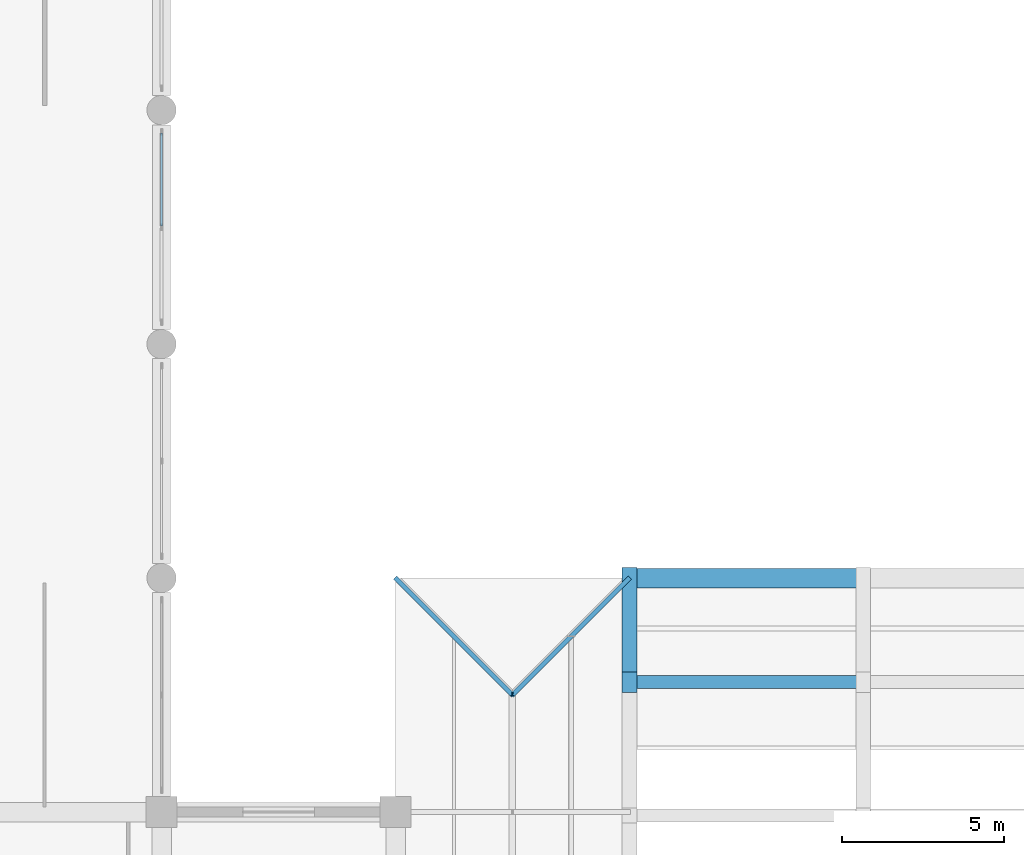
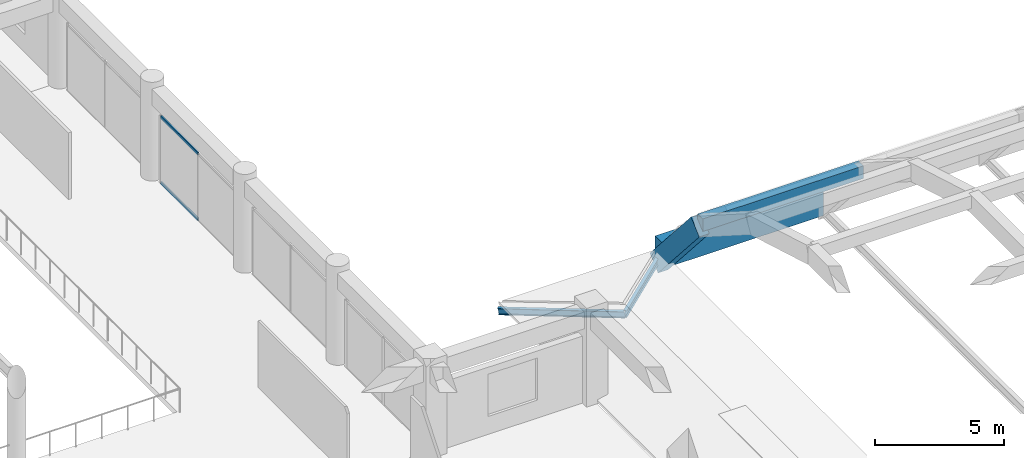
# One storey, part 24 of 54: 4 members, 3 beams, 1 element without a shape of its own.
"""IFC4 building model written with IfcOpenShell, lengths in metres."""

from ifc_helpers import new_model, si_unit, direction, frame, origin, origin_2d, place, context, subcontext, project, spatial, rectangle, hollow_rectangle, i_section, extrude, material, material_profile, profile_set, type_object, element, aggregate, save


model = new_model("IFC4")

# Units and contexts
model_context = context("Model", 3, precision=1e-05, world=origin(), true_north=direction((0.0, 1.0)))
body_context = subcontext(model_context, "Body", "Model", "MODEL_VIEW")
ifc_project = project(units=[si_unit("LENGTHUNIT", "METRE"), si_unit("AREAUNIT", "SQUARE_METRE"), si_unit("VOLUMEUNIT", "CUBIC_METRE"), si_unit("PLANEANGLEUNIT", "RADIAN"), si_unit("MASSUNIT", "GRAM", prefix="KILO")], contexts=[model_context])

# Site, building, storey
site_placement = place(None, origin())
site = spatial("IfcSite", under=ifc_project, at=site_placement, CompositionType="ELEMENT")
building_placement = place(site_placement, origin())
building = spatial("IfcBuilding", under=site, at=building_placement, Name="Kazehaya Institute of Natural Sciences", CompositionType="ELEMENT")
storey_placement = place(building_placement, frame((0.0, 0.0, 10.43994140625)))
storey = spatial("IfcBuildingStorey", under=building, at=storey_placement, Name="L02", CompositionType="ELEMENT", Elevation=10.43994140625)

# Beams
ifc_material_1 = material(Name="Concrete Fc36", Category="concrete")
ifc_material_profile_1 = material_profile(ifc_material_1, rectangle(XDim=0.449951171875, YDim=0.85009765625, at=origin_2d()), Name="RC-450x850")
ifc_profile_set_1 = profile_set([ifc_material_profile_1], Name="Concrete Fc36")
beam_type_1 = type_object("IfcBeamType", Name="BM-AR-450x850", PredefinedType="BEAM", material=ifc_profile_set_1)
beam_1_placement = place(storey_placement, frame((126.60009765625, 39.595703125, 3.224853515625), z_axis=(0.0, 0.659251045931, -0.751922907245), x_axis=(-1.0, 0.0, 0.0)))
element("IfcBeam", 1, at=beam_1_placement, inside=storey, type_object=beam_type_1, Name="SH-VOL1 transverse arch rib SH-VOL1-RIB-126-13", PredefinedType="BEAM", context=body_context, shape_type="SweptSolid", body=[
    extrude(rectangle(XDim=0.449951171875, YDim=0.85009765625, at=origin_2d()), origin(), (0.0, 0.0, 1.0), 4.860595703125),
])
ifc_material_profile_2 = material_profile(ifc_material_1, rectangle(XDim=0.39990234375, YDim=0.60009765625, at=origin_2d()), Name="RC-400x600")
ifc_profile_set_2 = profile_set([ifc_material_profile_2], Name="Concrete Fc36")
beam_type_2 = type_object("IfcBeamType", Name="BM-B-400x600", PredefinedType="BEAM", material=ifc_profile_set_2)
beam_2_placement = place(storey_placement, frame((126.60009765625, 39.595703125, 3.344970703125), z_axis=(1.0, 0.0, 0.0), x_axis=(0.0, 1.0, 0.0)))
element("IfcBeam", 2, at=beam_2_placement, inside=storey, type_object=beam_type_2, Name="SH-VOL1 longitudinal shell rib 12", PredefinedType="BEAM", context=body_context, shape_type="SweptSolid", body=[
    extrude(rectangle(XDim=0.39990234375, YDim=0.60009765625, at=origin_2d()), origin(), (0.0, 0.0, 1.0), 7.199951171875),
])
ifc_material_profile_3 = material_profile(ifc_material_1, rectangle(XDim=0.60009765625, YDim=1.199951171875, at=origin_2d()), Name="RC-600x1200")
ifc_profile_set_3 = profile_set([ifc_material_profile_3], Name="Concrete Fc36")
beam_type_3 = type_object("IfcBeamType", Name="BM-EB-600x1200", PredefinedType="BEAM", material=ifc_profile_set_3)
beam_3_placement = place(storey_placement, frame((126.60009765625, 42.800048828125, 0.0), z_axis=(1.0, 0.0, 0.0), x_axis=(0.0, 1.0, 0.0)))
element("IfcBeam", 3, at=beam_3_placement, inside=storey, type_object=beam_type_3, Name="SH-VOL1 centroidal shell edge beam SH-VOL1-EB-N-2215", PredefinedType="BEAM", context=body_context, shape_type="SweptSolid", body=[
    extrude(rectangle(XDim=0.60009765625, YDim=1.199951171875, at=origin_2d()), origin(), (0.0, 0.0, 1.0), 7.199951171875),
])

# Curtain wall, members
ifc_material_2 = material(Name="Aluminium alloy A6063S-T5", Category="aluminium")
curtain_wall_type = type_object("IfcCurtainWallType", Name="CW-SYS-03", PredefinedType="NOTDEFINED", material=ifc_material_2)
curtain_wall_placement = place(storey_placement, origin())
curtain_wall = element("IfcCurtainWall", 4, at=curtain_wall_placement, inside=storey, type_object=curtain_wall_type, Name="L02 unitised curtain wall CW-L02-028", PredefinedType="NOTDEFINED")
ifc_material_profile_4 = material_profile(ifc_material_2, hollow_rectangle(XDim=0.06005859375, YDim=0.139892578125, WallThickness=0.00341796875, at=origin_2d()), Name="ALU-60x140x3.5")
ifc_profile_set_4 = profile_set([ifc_material_profile_4], Name="Aluminium alloy A6063S-T5")
member_type_1 = type_object("IfcMemberType", Name="CWT-140", PredefinedType="USERDEFINED", material=ifc_profile_set_4)
member_1_placement = place(storey_placement, frame((112.199951171875, 56.5, 0.030029296875), z_axis=(0.0, -1.0, 0.0), x_axis=(1.0, 0.0, 0.0)))
member_1 = element("IfcMember", 5, at=member_1_placement, type_object=member_type_1, Name="CW03 transom 1.1", ObjectType="TRANSOM", PredefinedType="USERDEFINED", context=body_context, shape_type="SweptSolid", body=[
    extrude(hollow_rectangle(XDim=0.06005859375, YDim=0.139892578125, WallThickness=0.00341796875, at=origin_2d()), origin(), (0.0, 0.0, 1.0), 2.8701171875),
])
member_2_placement = place(storey_placement, frame((112.199951171875, 56.5, 3.150146484375), z_axis=(0.0, -1.0, 0.0), x_axis=(1.0, 0.0, 0.0)))
member_2 = element("IfcMember", 6, at=member_2_placement, type_object=member_type_1, Name="CW03 transom 1.2", ObjectType="TRANSOM", PredefinedType="USERDEFINED", context=body_context, shape_type="SweptSolid", body=[
    extrude(hollow_rectangle(XDim=0.06005859375, YDim=0.139892578125, WallThickness=0.00341796875, at=origin_2d()), origin(), (0.0, 0.0, 1.0), 2.8701171875),
])
aggregate(curtain_wall, [member_1, member_2])

# Members
ifc_material_3 = material(Name="Structural steel SN490B", Category="steel")
ifc_material_profile_5 = material_profile(ifc_material_3, i_section(OverallWidth=0.14990234375, OverallDepth=0.300048828125, WebThickness=0.006591796875, FlangeThickness=0.009033203125, FilletRadius=0.012939453125, at=origin_2d()), Name="H-300x150x6.5x9")
ifc_profile_set_5 = profile_set([ifc_material_profile_5], Name="Structural steel SN490B")
member_type_2 = type_object("IfcMemberType", Name="MEM-RAF-H300", PredefinedType="RAFTER", material=ifc_profile_set_5)
for number, where, z_axis, x_axis, name in (
    (7, (119.39990234375, 42.800048828125, -0.25), (0.699195307823, -0.699195307823, 0.149170516643), (0.707106781187, 0.707106781187, 0.0), "ROOF-VOL1-LINK corner hip rafter NW"),
    (8, (126.60009765625, 42.800048828125, -0.25), (-0.699195307823, -0.699195307823, 0.149170516643), (0.707106781187, -0.707106781187, 0.0), "ROOF-VOL1-LINK corner hip rafter NE"),
):
    element("IfcMember", number, at=place(storey_placement, frame(where, z_axis=z_axis, x_axis=x_axis)), inside=storey, type_object=member_type_2, Name=name, PredefinedType="RAFTER", context=body_context, shape_type="SweptSolid", body=[
        extrude(i_section(OverallWidth=0.14990234375, OverallDepth=0.300048828125, WebThickness=0.006591796875, FlangeThickness=0.009033203125, FilletRadius=0.012939453125, at=origin_2d()), origin(), (0.0, 0.0, 1.0), 5.14892578125),
    ])

save(model, "model.ifc")
